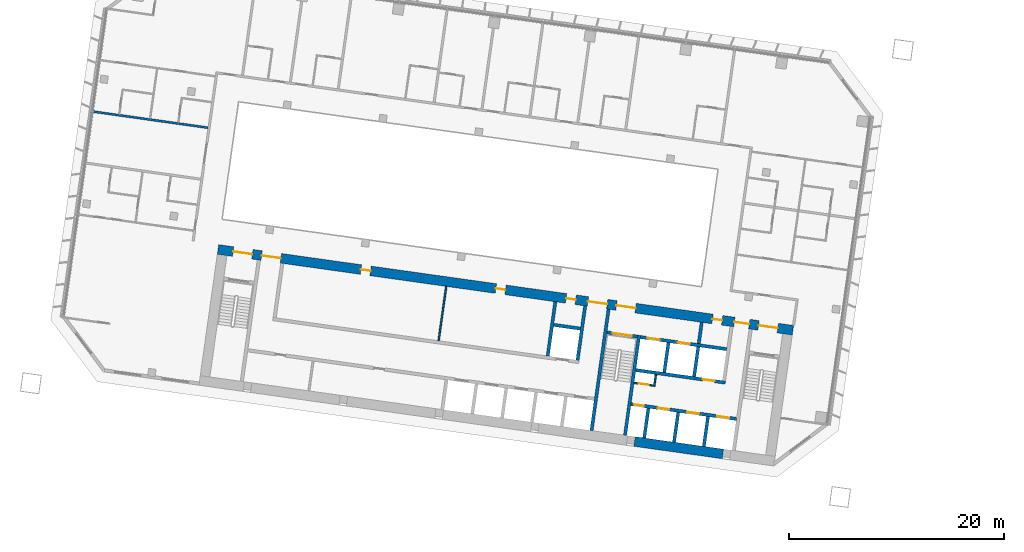
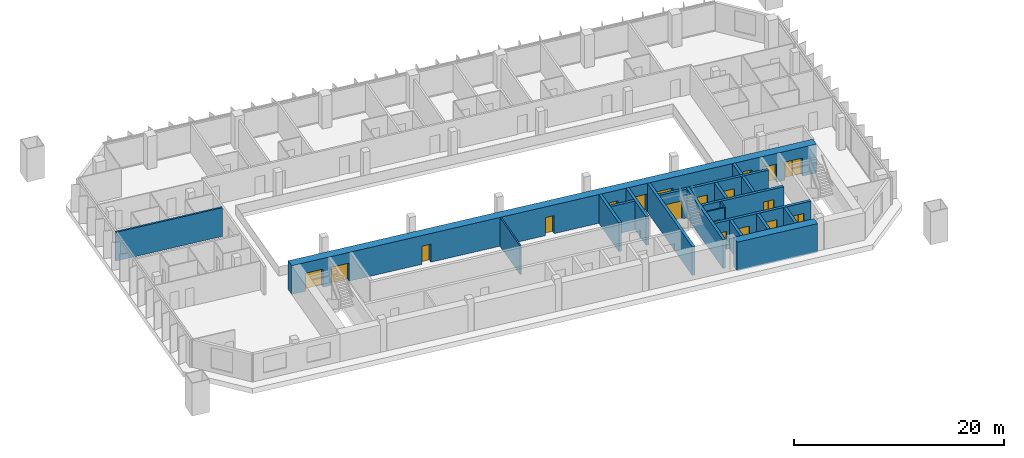
# One storey, part 15 of 24: 21 walls, 19 doors, 19 openings.
"""IFC4 building model written with IfcOpenShell, lengths in metres."""

from ifc_helpers import new_model, si_unit, direction, frame, frame_2d, origin, place, context, subcontext, project, spatial, rectangle, extrude, material, layer, layer_set, type_object, element, fill, save


model = new_model("IFC4")

# Units and contexts
model_context = context("Model", 3, precision=1e-05, world=origin(), true_north=direction((0.0, 1.0)))
body_context = subcontext(model_context, "Body", "Model", "MODEL_VIEW")
ifc_project = project(units=[si_unit("LENGTHUNIT", "METRE"), si_unit("AREAUNIT", "SQUARE_METRE"), si_unit("VOLUMEUNIT", "CUBIC_METRE"), si_unit("PLANEANGLEUNIT", "RADIAN"), si_unit("MASSUNIT", "GRAM", prefix="KILO")], contexts=[model_context])

# Site, building, storey
site_placement = place(None, origin())
site = spatial("IfcSite", under=ifc_project, at=site_placement, CompositionType="ELEMENT")
building_placement = place(site_placement, origin())
building = spatial("IfcBuilding", under=site, at=building_placement, Name="Mirante Cascada Hotel Towers", CompositionType="ELEMENT")
storey_placement = place(building_placement, frame((0.0, 0.0, 50.9)))
storey = spatial("IfcBuildingStorey", under=building, at=storey_placement, Name="L09", CompositionType="ELEMENT", Elevation=50.9)

# Walls
ifc_material_1 = material(Name="Fire-rated plasterboard on metal studs")
ifc_layer_1 = layer(ifc_material_1, 0.2)
ifc_layer_set_1 = layer_set([ifc_layer_1], Name="Compartment wall 200 EI 120")
wall_type_1 = type_object("IfcWallType", Name="Compartment wall 200 EI 120", PredefinedType="PARTITIONING", material=ifc_layer_set_1)
wall_1_placement = place(storey_placement, frame((-89.7337, 11.2758, 0.0), z_axis=(0.0, 0.0, 1.0), x_axis=(-0.990268, 0.1391733, 0.0)))
element("IfcWall", 1, at=wall_1_placement, inside=storey, type_object=wall_type_1, Name="Wall 1-L09-12", PredefinedType="PARTITIONING", context=body_context, shape_type="SweptSolid", body=[
    extrude(rectangle(XDim=11.0, YDim=0.2, at=frame_2d((5.5, 0.0))), origin(), (0.0, 0.0, 1.0), 3.35),
])
ifc_material_2 = material(Name="Masonry block", Category="masonry")
ifc_layer_2 = layer(ifc_material_2, 0.15)
ifc_layer_set_2 = layer_set([ifc_layer_2], Name="Core room partition 150 block EI 30")
wall_type_2 = type_object("IfcWallType", Name="Core room partition 150 block EI 30", PredefinedType="PARTITIONING", material=ifc_layer_set_2)
wall_2_placement = place(storey_placement, frame((-48.2295, -12.793, 0.0), z_axis=(0.0, 0.0, 1.0), x_axis=(0.1391935, 0.9902652, 0.0)))
element("IfcWall", 2, at=wall_2_placement, inside=storey, type_object=wall_type_2, Name="Core wall partition T1 L09 2", PredefinedType="PARTITIONING", context=body_context, shape_type="SweptSolid", body=[
    extrude(rectangle(XDim=1.1251, YDim=0.15, at=frame_2d((0.5626, 0.0))), origin(), (0.0, 0.0, 1.0), 3.35),
])

# Wall, opening, door
wall_3_placement = place(storey_placement, frame((-48.2933, -12.7083, 0.0), z_axis=(0.0, 0.0, 1.0), x_axis=(-0.990268, 0.1391734, 0.0)))
wall_3 = element("IfcWall", 3, at=wall_3_placement, inside=storey, type_object=wall_type_2, Name="Core wall partition T1 L09 3", PredefinedType="PARTITIONING", context=body_context, shape_type="SweptSolid", body=[
    extrude(rectangle(XDim=1.8251, YDim=0.15, at=frame_2d((0.9126, 0.0))), origin(), (0.0, 0.0, 1.0), 3.35),
])
opening_1_placement = place(wall_3_placement, frame((0.4625, 0.0, 0.0)))
opening_1 = element("IfcOpeningElement", 4, at=opening_1_placement, cuts=wall_3, Name="Opening D1-09-C23", PredefinedType="OPENING", context=body_context, shape_type="SweptSolid", body=[
    extrude(rectangle(XDim=0.9, YDim=2.1, at=frame_2d((0.45, 1.05))), frame((0.0, 0.075, 0.0), z_axis=(0.0, -1.0, 0.0), x_axis=(1.0, 0.0, 0.0)), (0.0, 0.0, 1.0), 0.15),
])
ifc_material_3 = material(Name="Hollow metal fire door leaf")
door_type_1 = type_object("IfcDoorType", Name="Fire door 900x2100 FD60", OperationType="NOTDEFINED", PredefinedType="DOOR", material=ifc_material_3)
door_1_placement = place(opening_1_placement, origin())
door_1 = element("IfcDoor", 5, at=door_1_placement, inside=storey, type_object=door_type_1, Name="Riser door T1 L09 23", OperationType="SINGLE_SWING_LEFT", OverallHeight=2.1, OverallWidth=0.9, PredefinedType="DOOR", context=body_context, shape_type="SweptSolid", body=[
    extrude(rectangle(XDim=0.9, YDim=2.1, at=frame_2d((0.45, 1.05))), frame((0.0, 0.025, 0.0), z_axis=(0.0, -1.0, 0.0), x_axis=(1.0, 0.0, 0.0)), (0.0, 0.0, 1.0), 0.05),
])
fill(opening_1, door_1)

# Walls
wall_4_placement = place(storey_placement, frame((-68.2822, -8.5358, 0.0), z_axis=(0.0, 0.0, 1.0), x_axis=(0.1391755, 0.9902677, 0.0)))
element("IfcWall", 6, at=wall_4_placement, inside=storey, type_object=wall_type_2, Name="Core wall partition T1 L09 5", PredefinedType="PARTITIONING", context=body_context, shape_type="SweptSolid", body=[
    extrude(rectangle(XDim=5.1, YDim=0.15, at=frame_2d((2.55, 0.0))), origin(), (0.0, 0.0, 1.0), 3.35),
])
ifc_material_4 = material(Name="Masonry block", Category="masonry")
ifc_layer_3 = layer(ifc_material_4, 0.3)
ifc_layer_set_3 = layer_set([ifc_layer_3], Name="Core wall 300 block EI 120")
wall_type_3 = type_object("IfcWallType", Name="Core wall 300 block EI 120", PredefinedType="PARTITIONING", material=ifc_layer_set_3)
wall_5_placement = place(storey_placement, frame((-44.0843, -8.8061, 0.0), z_axis=(0.0, 0.0, 1.0), x_axis=(0.1391951, 0.990265, 0.0)))
element("IfcWall", 7, at=wall_5_placement, inside=storey, type_object=wall_type_3, Name="Core wall partition T1 L09 1", PredefinedType="PARTITIONING", context=body_context, shape_type="SweptSolid", body=[
    extrude(rectangle(XDim=2.0001, YDim=0.3, at=frame_2d((1.0001, 0.0))), origin(), (0.0, 0.0, 1.0), 3.35),
])
ifc_material_5 = material(Name="Concrete C50/60", Category="concrete")
ifc_layer_4 = layer(ifc_material_5, 0.3)
ifc_layer_set_4 = layer_set([ifc_layer_4], Name="RC core wall 300 C50/60")
wall_type_4 = type_object("IfcWallType", Name="RC core wall 300 C50/60", PredefinedType="SHEAR", material=ifc_layer_set_4)
wall_6_placement = place(storey_placement, frame((-50.938, -17.3352, 0.0), z_axis=(0.0, 0.0, 1.0), x_axis=(0.1391706, 0.9902684, 0.0)))
element("IfcWall", 8, at=wall_6_placement, inside=storey, type_object=wall_type_4, Name="Core wall T1:L09:6", PredefinedType="SHEAR", context=body_context, shape_type="SweptSolid", body=[
    extrude(rectangle(XDim=9.4, YDim=0.3, at=frame_2d((4.7, 0.0))), origin(), (0.0, 0.0, 1.0), 3.35),
])
wall_7_placement = place(storey_placement, frame((-54.0574, -16.8968, 0.0), z_axis=(0.0, 0.0, 1.0), x_axis=(0.1391761, 0.9902677, 0.0)))
element("IfcWall", 9, at=wall_7_placement, inside=storey, type_object=wall_type_4, Name="Core wall T1:L09:7", PredefinedType="SHEAR", context=body_context, shape_type="SweptSolid", body=[
    extrude(rectangle(XDim=11.3999, YDim=0.3, at=frame_2d((5.7, 0.0))), origin(), (0.0, 0.0, 1.0), 3.35),
])

# Wall, opening, door
wall_8_placement = place(storey_placement, frame((-49.7992, -8.1544, 0.0), z_axis=(0.0, 0.0, 1.0), x_axis=(-0.9902656, 0.1391909, 0.0)))
wall_8 = element("IfcWall", 10, at=wall_8_placement, inside=storey, type_object=wall_type_4, Name="Core wall T1:L09:10", PredefinedType="SHEAR", context=body_context, shape_type="SweptSolid", body=[
    extrude(rectangle(XDim=2.85, YDim=0.3, at=frame_2d((1.425, 0.0))), origin(), (0.0, 0.0, 1.0), 3.35),
])
opening_2_placement = place(wall_8_placement, frame((0.525, 0.0, 0.0)))
opening_2 = element("IfcOpeningElement", 11, at=opening_2_placement, cuts=wall_8, Name="Opening D1-09-C15", PredefinedType="OPENING", context=body_context, shape_type="SweptSolid", body=[
    extrude(rectangle(XDim=1.8, YDim=2.1, at=frame_2d((0.9, 1.05))), frame((0.0, 0.15, 0.0), z_axis=(0.0, -1.0, 0.0), x_axis=(1.0, 0.0, 0.0)), (0.0, 0.0, 1.0), 0.3),
])
ifc_material_6 = material(Name="Hollow metal fire door leaf")
door_type_2 = type_object("IfcDoorType", Name="Double fire door 1800x2100 FD60", OperationType="DOUBLE_DOOR_SINGLE_SWING", PredefinedType="DOOR", material=ifc_material_6)
door_2_placement = place(opening_2_placement, origin())
door_2 = element("IfcDoor", 12, at=door_2_placement, inside=storey, type_object=door_type_2, Name="Stair door T1 L09 15", OperationType="DOUBLE_DOOR_SINGLE_SWING", OverallHeight=2.1, OverallWidth=1.8, PredefinedType="DOOR", context=body_context, shape_type="SweptSolid", body=[
    extrude(rectangle(XDim=0.895, YDim=2.1, at=frame_2d((0.4475, 1.05))), frame((0.0, 0.025, 0.0), z_axis=(0.0, -1.0, 0.0), x_axis=(1.0, 0.0, 0.0)), (0.0, 0.0, 1.0), 0.05),
    extrude(rectangle(XDim=0.895, YDim=2.1, at=frame_2d((1.3525, 1.05))), frame((0.0, 0.025, 0.0), z_axis=(0.0, -1.0, 0.0), x_axis=(1.0, 0.0, 0.0)), (0.0, 0.0, 1.0), 0.05),
])
fill(opening_2, door_2)

# Wall, openings, doors
wall_9_placement = place(storey_placement, frame((-40.5753, -15.8126, 0.0), z_axis=(0.0, 0.0, 1.0), x_axis=(-0.9902682, 0.1391725, 0.0)))
wall_9 = element("IfcWall", 13, at=wall_9_placement, inside=storey, type_object=wall_type_4, Name="Core wall T1:L09:12", PredefinedType="SHEAR", context=body_context, shape_type="SweptSolid", body=[
    extrude(rectangle(XDim=9.8999, YDim=0.3, at=frame_2d((4.95, 0.0))), origin(), (0.0, 0.0, 1.0), 3.35),
])
opening_3_placement = place(wall_9_placement, frame((0.7, 0.0, 0.0)))
opening_3 = element("IfcOpeningElement", 14, at=opening_3_placement, cuts=wall_9, Name="Opening LD", PredefinedType="OPENING", context=body_context, shape_type="SweptSolid", body=[
    extrude(rectangle(XDim=1.1, YDim=2.1, at=frame_2d((0.55, 1.05))), frame((0.0, 0.15, 0.0), z_axis=(0.0, -1.0, 0.0), x_axis=(1.0, 0.0, 0.0)), (0.0, 0.0, 1.0), 0.3),
])
opening_4_placement = place(wall_9_placement, frame((3.5, 0.0, 0.0)))
opening_4 = element("IfcOpeningElement", 15, at=opening_4_placement, cuts=wall_9, Name="Opening LD", PredefinedType="OPENING", context=body_context, shape_type="SweptSolid", body=[
    extrude(rectangle(XDim=1.1, YDim=2.1, at=frame_2d((0.55, 1.05))), frame((0.0, 0.15, 0.0), z_axis=(0.0, -1.0, 0.0), x_axis=(1.0, 0.0, 0.0)), (0.0, 0.0, 1.0), 0.3),
])
opening_5_placement = place(wall_9_placement, frame((6.3, 0.0, 0.0)))
opening_5 = element("IfcOpeningElement", 16, at=opening_5_placement, cuts=wall_9, Name="Opening LD", PredefinedType="OPENING", context=body_context, shape_type="SweptSolid", body=[
    extrude(rectangle(XDim=1.1, YDim=2.1, at=frame_2d((0.55, 1.05))), frame((0.0, 0.15, 0.0), z_axis=(0.0, -1.0, 0.0), x_axis=(1.0, 0.0, 0.0)), (0.0, 0.0, 1.0), 0.3),
])
opening_6_placement = place(wall_9_placement, frame((8.7, 0.0, 0.0)))
opening_6 = element("IfcOpeningElement", 17, at=opening_6_placement, cuts=wall_9, Name="Opening D1-09-C22", PredefinedType="OPENING", context=body_context, shape_type="SweptSolid", body=[
    extrude(rectangle(XDim=0.9, YDim=2.1, at=frame_2d((0.45, 1.05))), frame((0.0, 0.15, 0.0), z_axis=(0.0, -1.0, 0.0), x_axis=(1.0, 0.0, 0.0)), (0.0, 0.0, 1.0), 0.3),
])
door_3_placement = place(opening_6_placement, origin())
door_3 = element("IfcDoor", 18, at=door_3_placement, inside=storey, type_object=door_type_1, Name="Riser door T1 L09 22", OperationType="SINGLE_SWING_LEFT", OverallHeight=2.1, OverallWidth=0.9, PredefinedType="DOOR", context=body_context, shape_type="SweptSolid", body=[
    extrude(rectangle(XDim=0.9, YDim=2.1, at=frame_2d((0.45, 1.05))), frame((0.0, 0.025, 0.0), z_axis=(0.0, -1.0, 0.0), x_axis=(1.0, 0.0, 0.0)), (0.0, 0.0, 1.0), 0.05),
])
fill(opening_6, door_3)
ifc_material_7 = material(Name="Stainless steel", Category="steel")
door_type_3 = type_object("IfcDoorType", Name="Lift landing door 1100x2100 EI 120", OperationType="DOUBLE_DOOR_SLIDING", PredefinedType="DOOR", material=ifc_material_7)
door_4_placement = place(opening_3_placement, origin())
door_4 = element("IfcDoor", 19, at=door_4_placement, inside=storey, type_object=door_type_3, Name="Lift landing door HR1-1 L09", OperationType="DOUBLE_DOOR_SLIDING", OverallHeight=2.1, OverallWidth=1.1, PredefinedType="DOOR", context=body_context, shape_type="SweptSolid", body=[
    extrude(rectangle(XDim=0.545, YDim=2.1, at=frame_2d((0.2725, 1.05))), frame((0.0, 0.025, 0.0), z_axis=(0.0, -1.0, 0.0), x_axis=(1.0, 0.0, 0.0)), (0.0, 0.0, 1.0), 0.05),
    extrude(rectangle(XDim=0.545, YDim=2.1, at=frame_2d((0.8275, 1.05))), frame((0.0, 0.025, 0.0), z_axis=(0.0, -1.0, 0.0), x_axis=(1.0, 0.0, 0.0)), (0.0, 0.0, 1.0), 0.05),
])
fill(opening_3, door_4)
door_5_placement = place(opening_4_placement, origin())
door_5 = element("IfcDoor", 20, at=door_5_placement, inside=storey, type_object=door_type_3, Name="Lift landing door HR1-2 L09", OperationType="DOUBLE_DOOR_SLIDING", OverallHeight=2.1, OverallWidth=1.1, PredefinedType="DOOR", context=body_context, shape_type="SweptSolid", body=[
    extrude(rectangle(XDim=0.545, YDim=2.1, at=frame_2d((0.2725, 1.05))), frame((0.0, 0.025, 0.0), z_axis=(0.0, -1.0, 0.0), x_axis=(1.0, 0.0, 0.0)), (0.0, 0.0, 1.0), 0.05),
    extrude(rectangle(XDim=0.545, YDim=2.1, at=frame_2d((0.8275, 1.05))), frame((0.0, 0.025, 0.0), z_axis=(0.0, -1.0, 0.0), x_axis=(1.0, 0.0, 0.0)), (0.0, 0.0, 1.0), 0.05),
])
fill(opening_4, door_5)
door_6_placement = place(opening_5_placement, origin())
door_6 = element("IfcDoor", 21, at=door_6_placement, inside=storey, type_object=door_type_3, Name="Lift landing door HR1-3 L09", OperationType="DOUBLE_DOOR_SLIDING", OverallHeight=2.1, OverallWidth=1.1, PredefinedType="DOOR", context=body_context, shape_type="SweptSolid", body=[
    extrude(rectangle(XDim=0.545, YDim=2.1, at=frame_2d((0.2725, 1.05))), frame((0.0, 0.025, 0.0), z_axis=(0.0, -1.0, 0.0), x_axis=(1.0, 0.0, 0.0)), (0.0, 0.0, 1.0), 0.05),
    extrude(rectangle(XDim=0.545, YDim=2.1, at=frame_2d((0.8275, 1.05))), frame((0.0, 0.025, 0.0), z_axis=(0.0, -1.0, 0.0), x_axis=(1.0, 0.0, 0.0)), (0.0, 0.0, 1.0), 0.05),
])
fill(opening_5, door_6)

# Wall, opening, door
wall_10_placement = place(storey_placement, frame((-41.6153, -12.435, 0.0), z_axis=(0.0, 0.0, 1.0), x_axis=(-0.9902691, 0.139166, 0.0)))
wall_10 = element("IfcWall", 22, at=wall_10_placement, inside=storey, type_object=wall_type_4, Name="Core wall T1:L09:13", PredefinedType="SHEAR", context=body_context, shape_type="SweptSolid", body=[
    extrude(rectangle(XDim=8.4, YDim=0.3, at=frame_2d((4.2, 0.0))), origin(), (0.0, 0.0, 1.0), 3.35),
])
opening_7_placement = place(wall_10_placement, frame((1.0, 0.0, 0.0)))
opening_7 = element("IfcOpeningElement", 23, at=opening_7_placement, cuts=wall_10, Name="Opening LD", PredefinedType="OPENING", context=body_context, shape_type="SweptSolid", body=[
    extrude(rectangle(XDim=1.1, YDim=2.1, at=frame_2d((0.55, 1.05))), frame((0.0, 0.15, 0.0), z_axis=(0.0, -1.0, 0.0), x_axis=(1.0, 0.0, 0.0)), (0.0, 0.0, 1.0), 0.3),
])
door_7_placement = place(opening_7_placement, origin())
door_7 = element("IfcDoor", 24, at=door_7_placement, inside=storey, type_object=door_type_3, Name="Lift landing door HR1-4 L09", OperationType="DOUBLE_DOOR_SLIDING", OverallHeight=2.1, OverallWidth=1.1, PredefinedType="DOOR", context=body_context, shape_type="SweptSolid", body=[
    extrude(rectangle(XDim=0.545, YDim=2.1, at=frame_2d((0.2725, 1.05))), frame((0.0, 0.025, 0.0), z_axis=(0.0, -1.0, 0.0), x_axis=(1.0, 0.0, 0.0)), (0.0, 0.0, 1.0), 0.05),
    extrude(rectangle(XDim=0.545, YDim=2.1, at=frame_2d((0.8275, 1.05))), frame((0.0, 0.025, 0.0), z_axis=(0.0, -1.0, 0.0), x_axis=(1.0, 0.0, 0.0)), (0.0, 0.0, 1.0), 0.05),
])
fill(opening_7, door_7)

# Wall, openings, doors
wall_11_placement = place(storey_placement, frame((-41.481, -9.3234, 0.0), z_axis=(0.0, 0.0, 1.0), x_axis=(-0.9902679, 0.1391741, 0.0)))
wall_11 = element("IfcWall", 25, at=wall_11_placement, inside=storey, type_object=wall_type_4, Name="Core wall T1:L09:14", PredefinedType="SHEAR", context=body_context, shape_type="SweptSolid", body=[
    extrude(rectangle(XDim=8.0999, YDim=0.3, at=frame_2d((4.05, 0.0))), origin(), (0.0, 0.0, 1.0), 3.35),
])
opening_8_placement = place(wall_11_placement, frame((3.5, 0.0, 0.0)))
opening_8 = element("IfcOpeningElement", 26, at=opening_8_placement, cuts=wall_11, Name="Opening LD", PredefinedType="OPENING", context=body_context, shape_type="SweptSolid", body=[
    extrude(rectangle(XDim=1.1, YDim=2.1, at=frame_2d((0.55, 1.05))), frame((0.0, 0.15, 0.0), z_axis=(0.0, -1.0, 0.0), x_axis=(1.0, 0.0, 0.0)), (0.0, 0.0, 1.0), 0.3),
])
opening_9_placement = place(wall_11_placement, frame((6.3, 0.0, 0.0)))
opening_9 = element("IfcOpeningElement", 27, at=opening_9_placement, cuts=wall_11, Name="Opening LD", PredefinedType="OPENING", context=body_context, shape_type="SweptSolid", body=[
    extrude(rectangle(XDim=1.1, YDim=2.1, at=frame_2d((0.55, 1.05))), frame((0.0, 0.15, 0.0), z_axis=(0.0, -1.0, 0.0), x_axis=(1.0, 0.0, 0.0)), (0.0, 0.0, 1.0), 0.3),
])
door_8_placement = place(opening_8_placement, origin())
door_8 = element("IfcDoor", 28, at=door_8_placement, inside=storey, type_object=door_type_3, Name="Lift landing door FF1 L09", OperationType="DOUBLE_DOOR_SLIDING", OverallHeight=2.1, OverallWidth=1.1, PredefinedType="DOOR", context=body_context, shape_type="SweptSolid", body=[
    extrude(rectangle(XDim=0.545, YDim=2.1, at=frame_2d((0.2725, 1.05))), frame((0.0, 0.025, 0.0), z_axis=(0.0, -1.0, 0.0), x_axis=(1.0, 0.0, 0.0)), (0.0, 0.0, 1.0), 0.05),
    extrude(rectangle(XDim=0.545, YDim=2.1, at=frame_2d((0.8275, 1.05))), frame((0.0, 0.025, 0.0), z_axis=(0.0, -1.0, 0.0), x_axis=(1.0, 0.0, 0.0)), (0.0, 0.0, 1.0), 0.05),
])
fill(opening_8, door_8)
door_9_placement = place(opening_9_placement, origin())
door_9 = element("IfcDoor", 29, at=door_9_placement, inside=storey, type_object=door_type_3, Name="Lift landing door FF2 L09", OperationType="DOUBLE_DOOR_SLIDING", OverallHeight=2.1, OverallWidth=1.1, PredefinedType="DOOR", context=body_context, shape_type="SweptSolid", body=[
    extrude(rectangle(XDim=0.545, YDim=2.1, at=frame_2d((0.2725, 1.05))), frame((0.0, 0.025, 0.0), z_axis=(0.0, -1.0, 0.0), x_axis=(1.0, 0.0, 0.0)), (0.0, 0.0, 1.0), 0.05),
    extrude(rectangle(XDim=0.545, YDim=2.1, at=frame_2d((0.8275, 1.05))), frame((0.0, 0.025, 0.0), z_axis=(0.0, -1.0, 0.0), x_axis=(1.0, 0.0, 0.0)), (0.0, 0.0, 1.0), 0.05),
])
fill(opening_9, door_9)

# Walls
wall_12_placement = place(storey_placement, frame((-43.61, -18.3651, 0.0), z_axis=(0.0, 0.0, 1.0), x_axis=(0.1391459, 0.9902719, 0.0)))
element("IfcWall", 30, at=wall_12_placement, inside=storey, type_object=wall_type_4, Name="Core wall T1:L09:15", PredefinedType="SHEAR", context=body_context, shape_type="SweptSolid", body=[
    extrude(rectangle(XDim=2.7999, YDim=0.3, at=frame_2d((1.4, 0.0))), origin(), (0.0, 0.0, 1.0), 3.35),
])
wall_13_placement = place(storey_placement, frame((-46.3828, -17.9754, 0.0), z_axis=(0.0, 0.0, 1.0), x_axis=(0.139181, 0.990267, 0.0)))
element("IfcWall", 31, at=wall_13_placement, inside=storey, type_object=wall_type_4, Name="Core wall T1:L09:16", PredefinedType="SHEAR", context=body_context, shape_type="SweptSolid", body=[
    extrude(rectangle(XDim=2.8, YDim=0.3, at=frame_2d((1.4, 0.0))), origin(), (0.0, 0.0, 1.0), 3.35),
])
wall_14_placement = place(storey_placement, frame((-49.1555, -17.5857, 0.0), z_axis=(0.0, 0.0, 1.0), x_axis=(0.1391459, 0.9902719, 0.0)))
element("IfcWall", 32, at=wall_14_placement, inside=storey, type_object=wall_type_4, Name="Core wall T1:L09:17", PredefinedType="SHEAR", context=body_context, shape_type="SweptSolid", body=[
    extrude(rectangle(XDim=2.7999, YDim=0.3, at=frame_2d((1.4, 0.0))), origin(), (0.0, 0.0, 1.0), 3.35),
])
for number, where, z_axis, x_axis, name in (
    (33, (-44.5157, -11.8759, 0.0), (0.0, 0.0, 1.0), (0.139181, 0.990267, 0.0), "Core wall T1:L09:18"),
    (34, (-47.2885, -11.4862, 0.0), (0.0, 0.0, 1.0), (0.139181, 0.990267, 0.0), "Core wall T1:L09:19"),
):
    element("IfcWall", number, at=place(storey_placement, frame(where, z_axis=z_axis, x_axis=x_axis)), inside=storey, type_object=wall_type_4, Name=name, PredefinedType="SHEAR", context=body_context, shape_type="SweptSolid", body=[
        extrude(rectangle(XDim=2.8, YDim=0.3, at=frame_2d((1.4, 0.0))), origin(), (0.0, 0.0, 1.0), 3.35),
    ])
for number, where, z_axis, x_axis, name in (
    (35, (-55.3592, -10.352, 0.0), (0.0, 0.0, 1.0), (0.1391755, 0.9902677, 0.0), "Core wall T1:L09:32"),
    (36, (-58.1319, -9.9623, 0.0), (0.0, 0.0, 1.0), (0.1391755, 0.9902677, 0.0), "Core wall T1:L09:34"),
):
    element("IfcWall", number, at=place(storey_placement, frame(where, z_axis=z_axis, x_axis=x_axis)), inside=storey, type_object=wall_type_4, Name=name, PredefinedType="SHEAR", context=body_context, shape_type="SweptSolid", body=[
        extrude(rectangle(XDim=5.1, YDim=0.3, at=frame_2d((2.55, 0.0))), origin(), (0.0, 0.0, 1.0), 3.35),
    ])
wall_15_placement = place(storey_placement, frame((-55.0971, -7.4098, 0.0), z_axis=(0.0, 0.0, 1.0), x_axis=(-0.9902701, 0.1391586, 0.0)))
element("IfcWall", 37, at=wall_15_placement, inside=storey, type_object=wall_type_4, Name="Core wall T1:L09:35", PredefinedType="SHEAR", context=body_context, shape_type="SweptSolid", body=[
    extrude(rectangle(XDim=2.5, YDim=0.3, at=frame_2d((1.25, 0.0))), origin(), (0.0, 0.0, 1.0), 3.35),
])
ifc_material_8 = material(Name="Concrete C50/60", Category="concrete")
ifc_layer_5 = layer(ifc_material_8, 0.9)
ifc_layer_set_5 = layer_set([ifc_layer_5], Name="RC core wall 900 C50/60")
wall_type_5 = type_object("IfcWallType", Name="RC core wall 900 C50/60", PredefinedType="SHEAR", material=ifc_layer_set_5)
wall_16_placement = place(storey_placement, frame((-41.8407, -19.0682, 0.0), z_axis=(0.0, 0.0, 1.0), x_axis=(-0.9902686, 0.1391692, 0.0)))
element("IfcWall", 38, at=wall_16_placement, inside=storey, type_object=wall_type_5, Name="Core wall T1:L09:1.2", PredefinedType="SHEAR", context=body_context, shape_type="SweptSolid", body=[
    extrude(rectangle(XDim=8.3, YDim=0.9, at=frame_2d((4.15, 0.0))), origin(), (0.0, 0.0, 1.0), 3.35),
])

# Wall, openings, doors
wall_17_placement = place(storey_placement, frame((-35.326, -7.5629, 0.0), z_axis=(0.0, 0.0, 1.0), x_axis=(-0.9902679, 0.139174, 0.0)))
wall_17 = element("IfcWall", 39, at=wall_17_placement, inside=storey, type_object=wall_type_5, Name="Core wall T1:L09:2", PredefinedType="SHEAR", context=body_context, shape_type="SweptSolid", body=[
    extrude(rectangle(XDim=54.0, YDim=0.9, at=frame_2d((27.0, 0.0))), origin(), (0.0, 0.0, 1.0), 3.35),
])
opening_10_placement = place(wall_17_placement, frame((1.425, 0.0, 0.0)))
opening_10 = element("IfcOpeningElement", 40, at=opening_10_placement, cuts=wall_17, Name="Opening D1-09-C14", PredefinedType="OPENING", context=body_context, shape_type="SweptSolid", body=[
    extrude(rectangle(XDim=1.8, YDim=2.1, at=frame_2d((0.9, 1.05))), frame((0.0, 0.45, 0.0), z_axis=(0.0, -1.0, 0.0), x_axis=(1.0, 0.0, 0.0)), (0.0, 0.0, 1.0), 0.9),
])
opening_11_placement = place(wall_17_placement, frame((14.775, 0.0, 0.0)))
opening_11 = element("IfcOpeningElement", 41, at=opening_11_placement, cuts=wall_17, Name="Opening D1-09-C16", PredefinedType="OPENING", context=body_context, shape_type="SweptSolid", body=[
    extrude(rectangle(XDim=1.8, YDim=2.1, at=frame_2d((0.9, 1.05))), frame((0.0, 0.45, 0.0), z_axis=(0.0, -1.0, 0.0), x_axis=(1.0, 0.0, 0.0)), (0.0, 0.0, 1.0), 0.9),
])
opening_12_placement = place(wall_17_placement, frame((50.775, 0.0, 0.0)))
opening_12 = element("IfcOpeningElement", 42, at=opening_12_placement, cuts=wall_17, Name="Opening D1-09-C18", PredefinedType="OPENING", context=body_context, shape_type="SweptSolid", body=[
    extrude(rectangle(XDim=1.8, YDim=2.1, at=frame_2d((0.9, 1.05))), frame((0.0, 0.45, 0.0), z_axis=(0.0, -1.0, 0.0), x_axis=(1.0, 0.0, 0.0)), (0.0, 0.0, 1.0), 0.9),
])
opening_13_placement = place(wall_17_placement, frame((4.1, 0.0, 0.0)))
opening_13 = element("IfcOpeningElement", 43, at=opening_13_placement, cuts=wall_17, Name="Opening D1-09-C19", PredefinedType="OPENING", context=body_context, shape_type="SweptSolid", body=[
    extrude(rectangle(XDim=1.4, YDim=2.1, at=frame_2d((0.7, 1.05))), frame((0.0, 0.45, 0.0), z_axis=(0.0, -1.0, 0.0), x_axis=(1.0, 0.0, 0.0)), (0.0, 0.0, 1.0), 0.9),
])
opening_14_placement = place(wall_17_placement, frame((17.45, 0.0, 0.0)))
opening_14 = element("IfcOpeningElement", 44, at=opening_14_placement, cuts=wall_17, Name="Opening D1-09-C20", PredefinedType="OPENING", context=body_context, shape_type="SweptSolid", body=[
    extrude(rectangle(XDim=1.8, YDim=2.1, at=frame_2d((0.9, 1.05))), frame((0.0, 0.45, 0.0), z_axis=(0.0, -1.0, 0.0), x_axis=(1.0, 0.0, 0.0)), (0.0, 0.0, 1.0), 0.9),
])
opening_15_placement = place(wall_17_placement, frame((48.1, 0.0, 0.0)))
opening_15 = element("IfcOpeningElement", 45, at=opening_15_placement, cuts=wall_17, Name="Opening D1-09-C21", PredefinedType="OPENING", context=body_context, shape_type="SweptSolid", body=[
    extrude(rectangle(XDim=1.8, YDim=2.1, at=frame_2d((0.9, 1.05))), frame((0.0, 0.45, 0.0), z_axis=(0.0, -1.0, 0.0), x_axis=(1.0, 0.0, 0.0)), (0.0, 0.0, 1.0), 0.9),
])
opening_16_placement = place(wall_17_placement, frame((6.65, 0.0, 0.0)))
opening_16 = element("IfcOpeningElement", 46, at=opening_16_placement, cuts=wall_17, Name="Opening D1-09-C24", PredefinedType="OPENING", context=body_context, shape_type="SweptSolid", body=[
    extrude(rectangle(XDim=0.9, YDim=2.1, at=frame_2d((0.45, 1.05))), frame((0.0, 0.45, 0.0), z_axis=(0.0, -1.0, 0.0), x_axis=(1.0, 0.0, 0.0)), (0.0, 0.0, 1.0), 0.9),
])
opening_17_placement = place(wall_17_placement, frame((20.4, 0.0, 0.0)))
opening_17 = element("IfcOpeningElement", 47, at=opening_17_placement, cuts=wall_17, Name="Opening D1-09-C27", PredefinedType="OPENING", context=body_context, shape_type="SweptSolid", body=[
    extrude(rectangle(XDim=0.9, YDim=2.1, at=frame_2d((0.45, 1.05))), frame((0.0, 0.45, 0.0), z_axis=(0.0, -1.0, 0.0), x_axis=(1.0, 0.0, 0.0)), (0.0, 0.0, 1.0), 0.9),
])
opening_18_placement = place(wall_17_placement, frame((27.0, 0.0, 0.0)))
opening_18 = element("IfcOpeningElement", 48, at=opening_18_placement, cuts=wall_17, Name="Opening D1-09-C28", PredefinedType="OPENING", context=body_context, shape_type="SweptSolid", body=[
    extrude(rectangle(XDim=0.9, YDim=2.1, at=frame_2d((0.45, 1.05))), frame((0.0, 0.45, 0.0), z_axis=(0.0, -1.0, 0.0), x_axis=(1.0, 0.0, 0.0)), (0.0, 0.0, 1.0), 0.9),
])
opening_19_placement = place(wall_17_placement, frame((39.675, 0.0, 0.0)))
opening_19 = element("IfcOpeningElement", 49, at=opening_19_placement, cuts=wall_17, Name="Opening D1-09-C29", PredefinedType="OPENING", context=body_context, shape_type="SweptSolid", body=[
    extrude(rectangle(XDim=0.9, YDim=2.1, at=frame_2d((0.45, 1.05))), frame((0.0, 0.45, 0.0), z_axis=(0.0, -1.0, 0.0), x_axis=(1.0, 0.0, 0.0)), (0.0, 0.0, 1.0), 0.9),
])
ifc_material_9 = material(Name="Hollow metal fire door leaf")
door_type_4 = type_object("IfcDoorType", Name="Double fire door 1400x2100 FD60", OperationType="DOUBLE_DOOR_SINGLE_SWING", PredefinedType="DOOR", material=ifc_material_9)
door_10_placement = place(opening_13_placement, frame((1.4, 0.0, 0.0), z_axis=(0.0, 0.0, 1.0), x_axis=(-1.0, 0.0, 0.0)))
door_10 = element("IfcDoor", 50, at=door_10_placement, inside=storey, type_object=door_type_4, Name="Exit door to gallery T1 L09 19", OperationType="DOUBLE_DOOR_SINGLE_SWING", OverallHeight=2.1, OverallWidth=1.4, PredefinedType="DOOR", context=body_context, shape_type="SweptSolid", body=[
    extrude(rectangle(XDim=0.695, YDim=2.1, at=frame_2d((0.3475, 1.05))), frame((0.0, 0.025, 0.0), z_axis=(0.0, -1.0, 0.0), x_axis=(1.0, 0.0, 0.0)), (0.0, 0.0, 1.0), 0.05),
    extrude(rectangle(XDim=0.695, YDim=2.1, at=frame_2d((1.0525, 1.05))), frame((0.0, 0.025, 0.0), z_axis=(0.0, -1.0, 0.0), x_axis=(1.0, 0.0, 0.0)), (0.0, 0.0, 1.0), 0.05),
])
fill(opening_13, door_10)
door_11_placement = place(opening_10_placement, origin())
door_11 = element("IfcDoor", 51, at=door_11_placement, inside=storey, type_object=door_type_2, Name="Exit door to gallery T1 L09 14", OperationType="DOUBLE_DOOR_SINGLE_SWING", OverallHeight=2.1, OverallWidth=1.8, PredefinedType="DOOR", context=body_context, shape_type="SweptSolid", body=[
    extrude(rectangle(XDim=0.895, YDim=2.1, at=frame_2d((0.4475, 1.05))), frame((0.0, 0.025, 0.0), z_axis=(0.0, -1.0, 0.0), x_axis=(1.0, 0.0, 0.0)), (0.0, 0.0, 1.0), 0.05),
    extrude(rectangle(XDim=0.895, YDim=2.1, at=frame_2d((1.3525, 1.05))), frame((0.0, 0.025, 0.0), z_axis=(0.0, -1.0, 0.0), x_axis=(1.0, 0.0, 0.0)), (0.0, 0.0, 1.0), 0.05),
])
fill(opening_10, door_11)
door_12_placement = place(opening_11_placement, origin())
door_12 = element("IfcDoor", 52, at=door_12_placement, inside=storey, type_object=door_type_2, Name="Exit door to gallery T1 L09 16", OperationType="DOUBLE_DOOR_SINGLE_SWING", OverallHeight=2.1, OverallWidth=1.8, PredefinedType="DOOR", context=body_context, shape_type="SweptSolid", body=[
    extrude(rectangle(XDim=0.895, YDim=2.1, at=frame_2d((0.4475, 1.05))), frame((0.0, 0.025, 0.0), z_axis=(0.0, -1.0, 0.0), x_axis=(1.0, 0.0, 0.0)), (0.0, 0.0, 1.0), 0.05),
    extrude(rectangle(XDim=0.895, YDim=2.1, at=frame_2d((1.3525, 1.05))), frame((0.0, 0.025, 0.0), z_axis=(0.0, -1.0, 0.0), x_axis=(1.0, 0.0, 0.0)), (0.0, 0.0, 1.0), 0.05),
])
fill(opening_11, door_12)
door_13_placement = place(opening_12_placement, origin())
door_13 = element("IfcDoor", 53, at=door_13_placement, inside=storey, type_object=door_type_2, Name="Exit door to gallery T1 L09 18", OperationType="DOUBLE_DOOR_SINGLE_SWING", OverallHeight=2.1, OverallWidth=1.8, PredefinedType="DOOR", context=body_context, shape_type="SweptSolid", body=[
    extrude(rectangle(XDim=0.895, YDim=2.1, at=frame_2d((0.4475, 1.05))), frame((0.0, 0.025, 0.0), z_axis=(0.0, -1.0, 0.0), x_axis=(1.0, 0.0, 0.0)), (0.0, 0.0, 1.0), 0.05),
    extrude(rectangle(XDim=0.895, YDim=2.1, at=frame_2d((1.3525, 1.05))), frame((0.0, 0.025, 0.0), z_axis=(0.0, -1.0, 0.0), x_axis=(1.0, 0.0, 0.0)), (0.0, 0.0, 1.0), 0.05),
])
fill(opening_12, door_13)
door_14_placement = place(opening_14_placement, frame((1.8, 0.0, 0.0), z_axis=(0.0, 0.0, 1.0), x_axis=(-1.0, 0.0, 0.0)))
door_14 = element("IfcDoor", 54, at=door_14_placement, inside=storey, type_object=door_type_2, Name="Exit door to gallery T1 L09 20", OperationType="DOUBLE_DOOR_SINGLE_SWING", OverallHeight=2.1, OverallWidth=1.8, PredefinedType="DOOR", context=body_context, shape_type="SweptSolid", body=[
    extrude(rectangle(XDim=0.895, YDim=2.1, at=frame_2d((0.4475, 1.05))), frame((0.0, 0.025, 0.0), z_axis=(0.0, -1.0, 0.0), x_axis=(1.0, 0.0, 0.0)), (0.0, 0.0, 1.0), 0.05),
    extrude(rectangle(XDim=0.895, YDim=2.1, at=frame_2d((1.3525, 1.05))), frame((0.0, 0.025, 0.0), z_axis=(0.0, -1.0, 0.0), x_axis=(1.0, 0.0, 0.0)), (0.0, 0.0, 1.0), 0.05),
])
fill(opening_14, door_14)
door_15_placement = place(opening_15_placement, frame((1.8, 0.0, 0.0), z_axis=(0.0, 0.0, 1.0), x_axis=(-1.0, 0.0, 0.0)))
door_15 = element("IfcDoor", 55, at=door_15_placement, inside=storey, type_object=door_type_2, Name="Exit door to gallery T1 L09 21", OperationType="DOUBLE_DOOR_SINGLE_SWING", OverallHeight=2.1, OverallWidth=1.8, PredefinedType="DOOR", context=body_context, shape_type="SweptSolid", body=[
    extrude(rectangle(XDim=0.895, YDim=2.1, at=frame_2d((0.4475, 1.05))), frame((0.0, 0.025, 0.0), z_axis=(0.0, -1.0, 0.0), x_axis=(1.0, 0.0, 0.0)), (0.0, 0.0, 1.0), 0.05),
    extrude(rectangle(XDim=0.895, YDim=2.1, at=frame_2d((1.3525, 1.05))), frame((0.0, 0.025, 0.0), z_axis=(0.0, -1.0, 0.0), x_axis=(1.0, 0.0, 0.0)), (0.0, 0.0, 1.0), 0.05),
])
fill(opening_15, door_15)
door_16_placement = place(opening_16_placement, origin())
door_16 = element("IfcDoor", 56, at=door_16_placement, inside=storey, type_object=door_type_1, Name="Room door T1 L09 24", OperationType="SINGLE_SWING_RIGHT", OverallHeight=2.1, OverallWidth=0.9, PredefinedType="DOOR", context=body_context, shape_type="SweptSolid", body=[
    extrude(rectangle(XDim=0.9, YDim=2.1, at=frame_2d((0.45, 1.05))), frame((0.0, 0.025, 0.0), z_axis=(0.0, -1.0, 0.0), x_axis=(1.0, 0.0, 0.0)), (0.0, 0.0, 1.0), 0.05),
])
fill(opening_16, door_16)
door_17_placement = place(opening_17_placement, origin())
door_17 = element("IfcDoor", 57, at=door_17_placement, inside=storey, type_object=door_type_1, Name="Room door T1 L09 27", OperationType="SINGLE_SWING_RIGHT", OverallHeight=2.1, OverallWidth=0.9, PredefinedType="DOOR", context=body_context, shape_type="SweptSolid", body=[
    extrude(rectangle(XDim=0.9, YDim=2.1, at=frame_2d((0.45, 1.05))), frame((0.0, 0.025, 0.0), z_axis=(0.0, -1.0, 0.0), x_axis=(1.0, 0.0, 0.0)), (0.0, 0.0, 1.0), 0.05),
])
fill(opening_17, door_17)
door_18_placement = place(opening_18_placement, origin())
door_18 = element("IfcDoor", 58, at=door_18_placement, inside=storey, type_object=door_type_1, Name="Room door T1 L09 28", OperationType="SINGLE_SWING_RIGHT", OverallHeight=2.1, OverallWidth=0.9, PredefinedType="DOOR", context=body_context, shape_type="SweptSolid", body=[
    extrude(rectangle(XDim=0.9, YDim=2.1, at=frame_2d((0.45, 1.05))), frame((0.0, 0.025, 0.0), z_axis=(0.0, -1.0, 0.0), x_axis=(1.0, 0.0, 0.0)), (0.0, 0.0, 1.0), 0.05),
])
fill(opening_18, door_18)
door_19_placement = place(opening_19_placement, origin())
door_19 = element("IfcDoor", 59, at=door_19_placement, inside=storey, type_object=door_type_1, Name="Room door T1 L09 29", OperationType="SINGLE_SWING_LEFT", OverallHeight=2.1, OverallWidth=0.9, PredefinedType="DOOR", context=body_context, shape_type="SweptSolid", body=[
    extrude(rectangle(XDim=0.9, YDim=2.1, at=frame_2d((0.45, 1.05))), frame((0.0, 0.025, 0.0), z_axis=(0.0, -1.0, 0.0), x_axis=(1.0, 0.0, 0.0)), (0.0, 0.0, 1.0), 0.05),
])
fill(opening_19, door_19)

save(model, "model.ifc")
